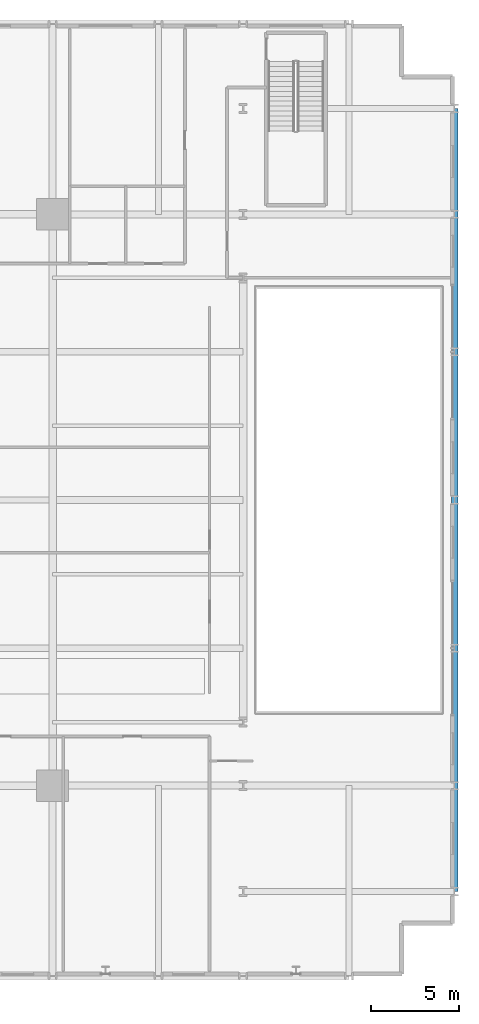
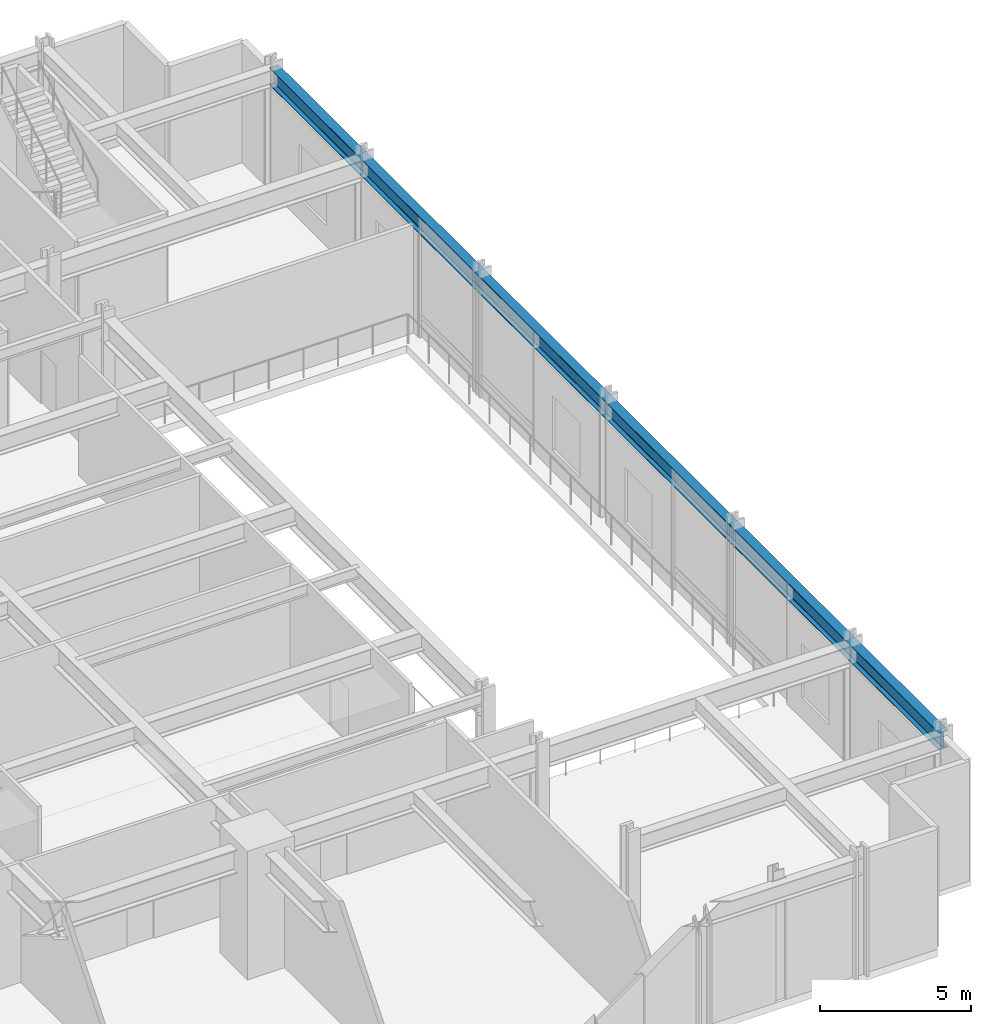
# One storey, part 8 of 21: 1 beam.
"""IFC4 building model written with IfcOpenShell, lengths in metres."""

from ifc_helpers import new_model, si_unit, direction, frame, origin, origin_2d, place, context, subcontext, project, spatial, i_section, extrude, material, material_profile, profile_set, type_object, element, save


model = new_model("IFC4")

# Units and contexts
model_context = context("Model", 3, precision=1e-05, world=origin(), true_north=direction((0.0, 1.0)))
body_context = subcontext(model_context, "Body", "Model", "MODEL_VIEW")
ifc_project = project(units=[si_unit("LENGTHUNIT", "METRE"), si_unit("AREAUNIT", "SQUARE_METRE"), si_unit("VOLUMEUNIT", "CUBIC_METRE"), si_unit("PLANEANGLEUNIT", "RADIAN"), si_unit("MASSUNIT", "GRAM", prefix="KILO")], contexts=[model_context])

# Site, building, storey
site_placement = place(None, origin())
site = spatial("IfcSite", under=ifc_project, at=site_placement, CompositionType="ELEMENT")
building_placement = place(site_placement, origin())
building = spatial("IfcBuilding", under=site, at=building_placement, Name="Drelvath Grand Hotel", CompositionType="ELEMENT")
storey_placement = place(building_placement, frame((0.0, 0.0, 22.39990234375)))
storey = spatial("IfcBuildingStorey", under=building, at=storey_placement, Name="L04", CompositionType="ELEMENT", Elevation=22.39990234375)

# Beam
ifc_material = material(Name="Steel ASTM A992 Gr 50", Category="steel")
ifc_material_profile = material_profile(ifc_material, i_section(OverallWidth=0.354736328125, OverallDepth=0.695556640625, WebThickness=0.015380859375, FlangeThickness=0.025146484375, FilletRadius=0.02392578125, at=origin_2d()), Name="W27X146")
ifc_profile_set = profile_set([ifc_material_profile], Name="Steel ASTM A992 Gr 50")
beam_type = type_object("IfcBeamType", Name="Perimeter Spandrel Beam W27X146", PredefinedType="SPANDREL", material=ifc_profile_set)
beam_placement = place(storey_placement, frame((39.0, 4.800048828125, 4.502197265625), z_axis=(0.0, 1.0, 0.0), x_axis=(-1.0, 0.0, 0.0)))
element("IfcBeam", 1, at=beam_placement, inside=storey, type_object=beam_type, Name="L04 Podium Perimeter Spandrel SPE1", PredefinedType="SPANDREL", context=body_context, shape_type="SweptSolid", body=[
    extrude(i_section(OverallWidth=0.354736328125, OverallDepth=0.695556640625, WebThickness=0.015380859375, FlangeThickness=0.025146484375, FilletRadius=0.02392578125, at=origin_2d()), origin(), (0.0, 0.0, 1.0), 44.39990234375),
])

save(model, "model.ifc")
